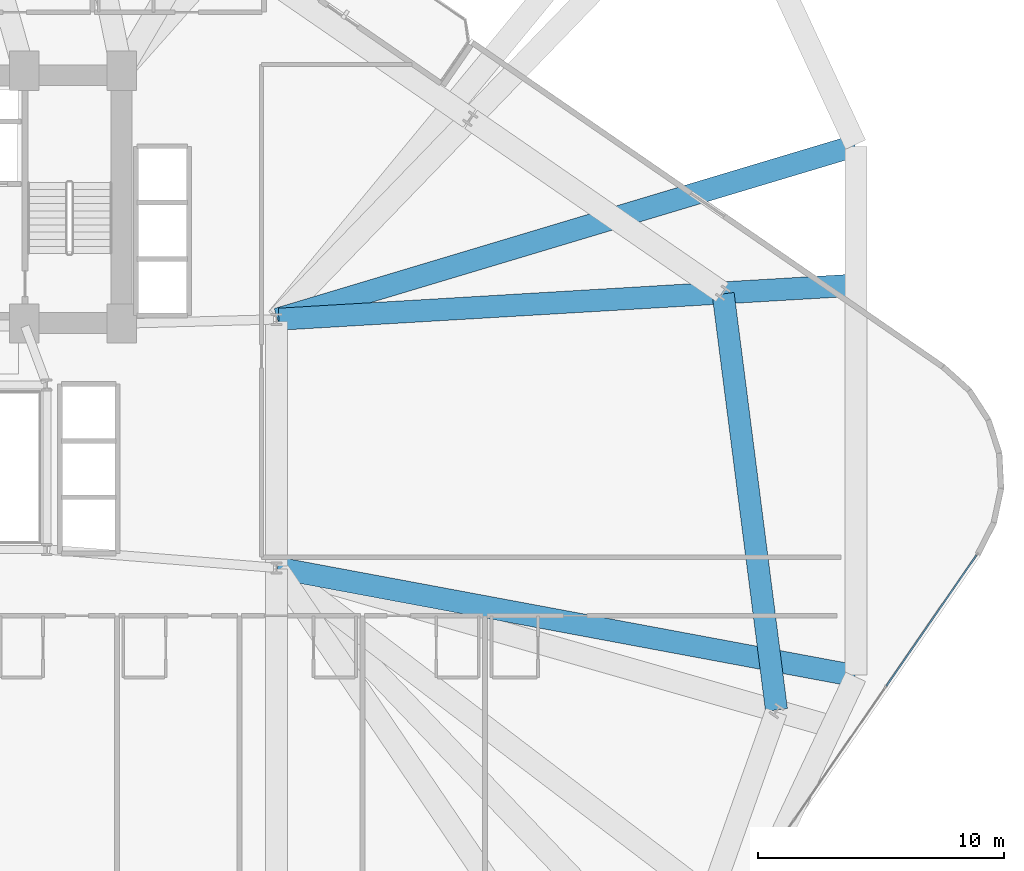
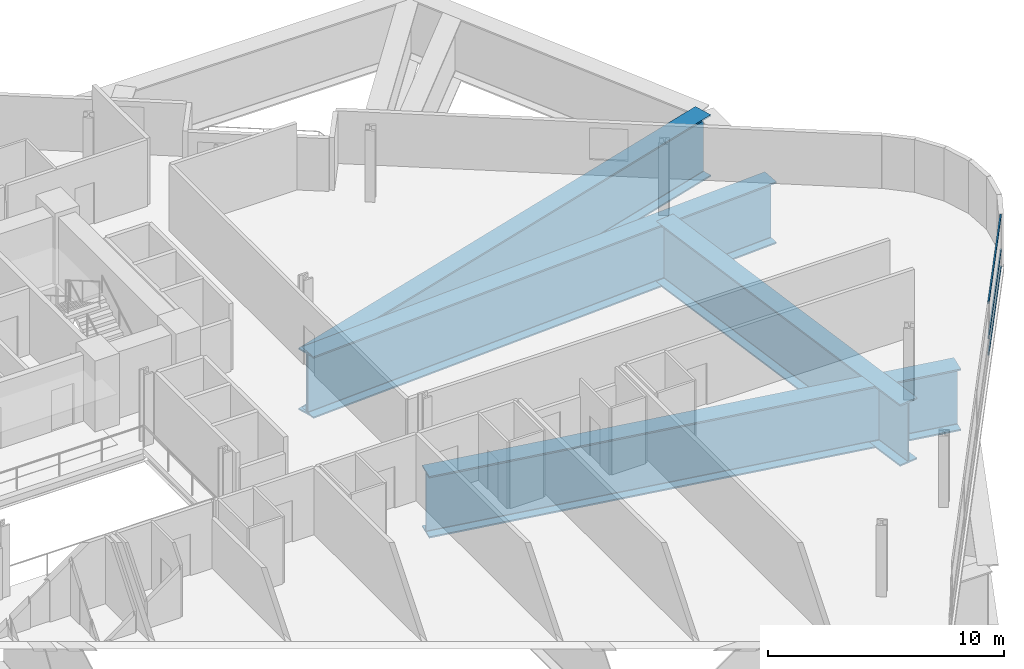
# One storey, part 11 of 26: 4 beams, 3 members, 1 element without a shape of its own.
"""IFC4 building model written with IfcOpenShell, lengths in metres."""

from ifc_helpers import new_model, si_unit, direction, frame, origin, origin_2d, place, context, subcontext, project, spatial, hollow_rectangle, i_section, extrude, material, layer, layer_set, material_profile, profile_set, type_object, element, aggregate, save


model = new_model("IFC4")

# Units and contexts
model_context = context("Model", 3, precision=1e-05, world=origin(), true_north=direction((0.0, 1.0)))
body_context = subcontext(model_context, "Body", "Model", "MODEL_VIEW")
ifc_project = project(units=[si_unit("LENGTHUNIT", "METRE"), si_unit("AREAUNIT", "SQUARE_METRE"), si_unit("VOLUMEUNIT", "CUBIC_METRE"), si_unit("PLANEANGLEUNIT", "RADIAN"), si_unit("MASSUNIT", "GRAM", prefix="KILO")], contexts=[model_context])

# Site, building, storey
site_placement = place(None, origin())
site = spatial("IfcSite", under=ifc_project, at=site_placement, CompositionType="ELEMENT")
building_placement = place(site_placement, origin())
building = spatial("IfcBuilding", under=site, at=building_placement, Name="Varnelok Gate Tower", CompositionType="ELEMENT")
storey_placement = place(building_placement, frame((0.0, 0.0, 27.0)))
storey = spatial("IfcBuildingStorey", under=building, at=storey_placement, Name="L05", CompositionType="ELEMENT", Elevation=27.0)

# Beams
ifc_material_1 = material(Name="Structural Steel ASTM A572 Grade 50", Category="steel")
ifc_material_profile_1 = material_profile(ifc_material_1, i_section(OverallWidth=0.89990234375, OverallDepth=3.199951171875, WebThickness=0.0400390625, FlangeThickness=0.074951171875, FilletRadius=0.030029296875, at=origin_2d()), Name="PG3200X900")
ifc_profile_set_1 = profile_set([ifc_material_profile_1], Name="Structural Steel ASTM A572 Grade 50")
beam_type = type_object("IfcBeamType", Name="BM-TR-PG3200", PredefinedType="BEAM", material=ifc_profile_set_1)
beam_1_placement = place(storey_placement, frame((54.039306640625, 18.792724609375, -1.85009765625), z_axis=(0.983059270633, -0.183287944017, 0.0), x_axis=(0.183287944017, 0.983059270633, 0.0)))
element("IfcBeam", 1, at=beam_1_placement, inside=storey, type_object=beam_type, Name="L05 Radial Transfer Main Girder 5", PredefinedType="BEAM", context=body_context, shape_type="SweptSolid", body=[
    extrude(i_section(OverallWidth=0.89990234375, OverallDepth=3.199951171875, WebThickness=0.0400390625, FlangeThickness=0.074951171875, FilletRadius=0.030029296875, at=origin_2d()), origin(), (0.0, 0.0, 1.0), 23.9267578125),
])
beam_2_placement = place(storey_placement, frame((54.038330078125, 28.931396484375, -1.85009765625), z_axis=(0.957825190804, 0.287351533599, 0.0), x_axis=(-0.287351533599, 0.957825190804, 0.0)))
element("IfcBeam", 2, at=beam_2_placement, inside=storey, type_object=beam_type, Name="L05 Radial Transfer Main Girder 6", PredefinedType="BEAM", context=body_context, shape_type="SweptSolid", body=[
    extrude(i_section(OverallWidth=0.89990234375, OverallDepth=3.199951171875, WebThickness=0.0400390625, FlangeThickness=0.074951171875, FilletRadius=0.030029296875, at=origin_2d()), origin(), (0.0, 0.0, 1.0), 24.559326171875),
])
beam_3_placement = place(storey_placement, frame((54.099853515625, 28.92578125, -1.85009765625), z_axis=(0.998249465935, 0.059143924122, 0.0), x_axis=(-0.059143924122, 0.998249465935, 0.0)))
element("IfcBeam", 3, at=beam_3_placement, inside=storey, type_object=beam_type, Name="L05 Column Transfer Carrier Girder 9", PredefinedType="BEAM", context=body_context, shape_type="SweptSolid", body=[
    extrude(i_section(OverallWidth=0.89990234375, OverallDepth=3.199951171875, WebThickness=0.0400390625, FlangeThickness=0.074951171875, FilletRadius=0.030029296875, at=origin_2d()), origin(), (0.0, 0.0, 1.0), 23.54150390625),
])
beam_4_placement = place(storey_placement, frame((74.36181640625, 13.015869140625, -1.85009765625), z_axis=(-0.127114555731, 0.991888042937, 0.0), x_axis=(-0.991888042937, -0.127114555731, 0.0)))
element("IfcBeam", 4, at=beam_4_placement, inside=storey, type_object=beam_type, Name="L05 Upper Perimeter Transfer Ring 8", PredefinedType="BEAM", context=body_context, shape_type="SweptSolid", body=[
    extrude(i_section(OverallWidth=0.89990234375, OverallDepth=3.199951171875, WebThickness=0.0400390625, FlangeThickness=0.074951171875, FilletRadius=0.030029296875, at=origin_2d()), origin(), (0.0, 0.0, 1.0), 17.080322265625),
])

# Curtain wall, members
ifc_material_2 = material(Name="Anodized Aluminum Alloy 6063-T6", Category="aluminium")
ifc_layer = layer(ifc_material_2, 0.179931640625)
ifc_layer_set = layer_set([ifc_layer], Name="Anodized Aluminum Alloy 6063-T6")
curtain_wall_type = type_object("IfcCurtainWallType", Name="CW3-HOTEL-VISION", PredefinedType="USERDEFINED", material=ifc_layer_set)
curtain_wall_placement = place(storey_placement, origin())
curtain_wall = element("IfcCurtainWall", 5, at=curtain_wall_placement, inside=storey, type_object=curtain_wall_type, Name="L05 East End Vision Curtain Wall", ObjectType="UNITISED CURTAIN WALL", PredefinedType="USERDEFINED")
ifc_material_profile_2 = material_profile(ifc_material_2, hollow_rectangle(XDim=0.06494140625, YDim=0.159912109375, WallThickness=0.00390625, at=origin_2d()), Name="ALU160X65X4")
ifc_profile_set_2 = profile_set([ifc_material_profile_2], Name="Anodized Aluminum Alloy 6063-T6")
member_type = type_object("IfcMemberType", Name="CW-TRAN-160", PredefinedType="USERDEFINED", material=ifc_profile_set_2)
member_1_placement = place(storey_placement, frame((82.505615234375, 19.3125, 0.032470703125), z_axis=(-0.567298980035, -0.823511910813, 0.0), x_axis=(0.823511910813, -0.567298980035, 0.0)))
member_1 = element("IfcMember", 6, at=member_1_placement, type_object=member_type, Name="CW3 transom 1.1", ObjectType="TRANSOM", PredefinedType="USERDEFINED", context=body_context, shape_type="SweptSolid", body=[
    extrude(hollow_rectangle(XDim=0.06494140625, YDim=0.159912109375, WallThickness=0.00390625, at=origin_2d()), origin(), (0.0, 0.0, 1.0), 6.468994140625),
])
member_2_placement = place(storey_placement, frame((82.505615234375, 19.3125, 0.89990234375), z_axis=(-0.567298980035, -0.823511910813, 0.0), x_axis=(0.823511910813, -0.567298980035, 0.0)))
member_2 = element("IfcMember", 7, at=member_2_placement, type_object=member_type, Name="CW3 transom 1.2", ObjectType="TRANSOM", PredefinedType="USERDEFINED", context=body_context, shape_type="SweptSolid", body=[
    extrude(hollow_rectangle(XDim=0.06494140625, YDim=0.159912109375, WallThickness=0.00390625, at=origin_2d()), origin(), (0.0, 0.0, 1.0), 6.468994140625),
])
member_3_placement = place(storey_placement, frame((82.505615234375, 19.3125, 2.697509765625), z_axis=(-0.567298980035, -0.823511910813, 0.0), x_axis=(0.823511910813, -0.567298980035, 0.0)))
member_3 = element("IfcMember", 8, at=member_3_placement, type_object=member_type, Name="CW3 transom 1.3", ObjectType="TRANSOM", PredefinedType="USERDEFINED", context=body_context, shape_type="SweptSolid", body=[
    extrude(hollow_rectangle(XDim=0.06494140625, YDim=0.159912109375, WallThickness=0.00390625, at=origin_2d()), origin(), (0.0, 0.0, 1.0), 6.468994140625),
])
aggregate(curtain_wall, [member_1, member_2, member_3])

save(model, "model.ifc")
